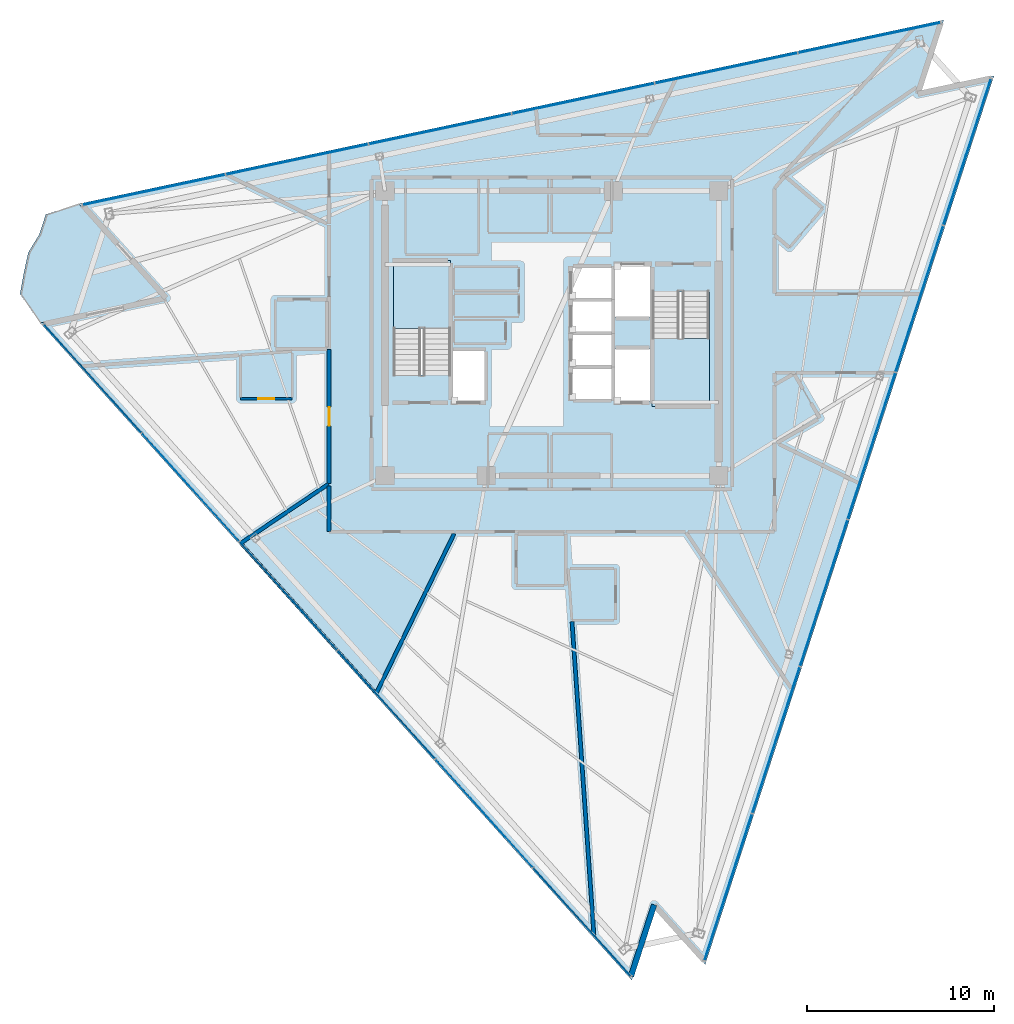
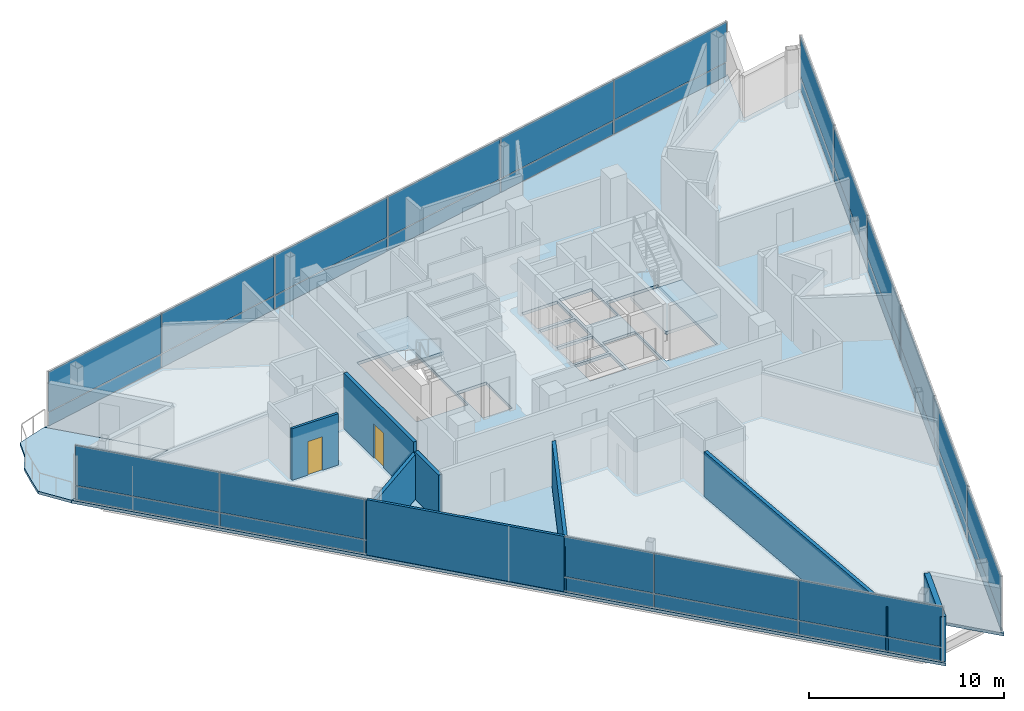
# One storey, part 9 of 18: 36 plates, 8 walls, 4 slabs, 2 doors, 2 openings, 5 elements without a shape of their own.
"""IFC4 building model written with IfcOpenShell, lengths in metres."""

from ifc_helpers import new_model, si_unit, direction, frame, frame_2d, origin, origin_2d, place, context, subcontext, project, spatial, polyline, rectangle, outline, extrude, material, layer, layer_set, type_object, element, fill, aggregate, save


model = new_model("IFC4")

# Units and contexts
model_context = context("Model", 3, precision=1e-05, world=origin(), true_north=direction((0.0, 1.0)))
body_context = subcontext(model_context, "Body", "Model", "MODEL_VIEW")
ifc_project = project(units=[si_unit("LENGTHUNIT", "METRE"), si_unit("AREAUNIT", "SQUARE_METRE"), si_unit("VOLUMEUNIT", "CUBIC_METRE"), si_unit("PLANEANGLEUNIT", "RADIAN"), si_unit("MASSUNIT", "GRAM", prefix="KILO")], contexts=[model_context])

# Site, building, storey
site_placement = place(None, origin())
site = spatial("IfcSite", under=ifc_project, at=site_placement, CompositionType="ELEMENT")
building_placement = place(site_placement, origin())
building = spatial("IfcBuilding", under=site, at=building_placement, Name="Tharavind Bronze Gate", CompositionType="ELEMENT")
storey_placement = place(building_placement, frame((0.0, 0.0, 287.050048828125)))
storey = spatial("IfcBuildingStorey", under=building, at=storey_placement, Name="L74", CompositionType="ELEMENT", Elevation=287.050048828125)

# Curtain wall, plates
ifc_material_1 = material(Name="Anodised Bronze Aluminium", Category="aluminium")
ifc_layer_1 = layer(ifc_material_1, 0.219970703125)
ifc_layer_set_1 = layer_set([ifc_layer_1], Name="Anodised Bronze Aluminium")
curtain_wall_type = type_object("IfcCurtainWallType", Name="UNITISED CURTAIN WALL CROWN", PredefinedType="USERDEFINED", material=ifc_layer_set_1)
curtain_wall_1_placement = place(storey_placement, origin())
curtain_wall_1 = element("IfcCurtainWall", 1, at=curtain_wall_1_placement, inside=storey, type_object=curtain_wall_type, Name="L74 unitised curtain wall crown CW-L74-S1", ObjectType="UNITISED CURTAIN WALL", PredefinedType="USERDEFINED")
ifc_material_2 = material(Name="Patinated Bronze Alloy Sheet", Category="bronze")
ifc_layer_2 = layer(ifc_material_2, 0.01611328125)
ifc_layer_set_2 = layer_set([ifc_layer_2], Name="Patinated Bronze Alloy Sheet")
plate_type_1 = type_object("IfcPlateType", Name="BRONZE SPANDREL CLADDING PANEL 16", PredefinedType="CURTAIN_PANEL", material=ifc_layer_set_2)
plate_1_placement = place(storey_placement, frame((-24.494873046875, -2.404052734375, 0.0263671875), z_axis=(0.0, 0.0, 1.0), x_axis=(0.669130606359, -0.743144825477, 0.0)))
plate_1 = element("IfcPlate", 2, at=plate_1_placement, type_object=plate_type_1, Name="CW-L74-S1 bronze spandrel panel 1", PredefinedType="CURTAIN_PANEL", context=body_context, shape_type="SweptSolid", body=[
    extrude(rectangle(XDim=7.749755859375, YDim=0.01611328125, at=origin_2d()), origin(), (0.0, 0.0, 1.0), 0.846923828125),
])
plate_2_placement = place(storey_placement, frame((-19.273681640625, -8.20263671875, 0.0263671875), z_axis=(0.0, 0.0, 1.0), x_axis=(0.669130606359, -0.743144825477, 0.0)))
plate_2 = element("IfcPlate", 3, at=plate_2_placement, type_object=plate_type_1, Name="CW-L74-S1 bronze spandrel panel 2", PredefinedType="CURTAIN_PANEL", context=body_context, shape_type="SweptSolid", body=[
    extrude(rectangle(XDim=7.749755859375, YDim=0.01611328125, at=origin_2d()), origin(), (0.0, 0.0, 1.0), 0.846923828125),
])
plate_3_placement = place(storey_placement, frame((-14.052734375, -14.001220703125, 0.0263671875), z_axis=(0.0, 0.0, 1.0), x_axis=(0.669130606359, -0.743144825477, 0.0)))
plate_3 = element("IfcPlate", 4, at=plate_3_placement, type_object=plate_type_1, Name="CW-L74-S1 bronze spandrel panel 3", PredefinedType="CURTAIN_PANEL", context=body_context, shape_type="SweptSolid", body=[
    extrude(rectangle(XDim=7.749755859375, YDim=0.01611328125, at=origin_2d()), origin(), (0.0, 0.0, 1.0), 0.846923828125),
])
plate_4_placement = place(storey_placement, frame((-8.831787109375, -19.7998046875, 0.0263671875), z_axis=(0.0, 0.0, 1.0), x_axis=(0.669130606359, -0.743144825477, 0.0)))
plate_4 = element("IfcPlate", 5, at=plate_4_placement, type_object=plate_type_1, Name="CW-L74-S1 bronze spandrel panel 4", PredefinedType="CURTAIN_PANEL", context=body_context, shape_type="SweptSolid", body=[
    extrude(rectangle(XDim=7.749755859375, YDim=0.01611328125, at=origin_2d()), origin(), (0.0, 0.0, 1.0), 0.846923828125),
])
plate_5_placement = place(storey_placement, frame((-3.610595703125, -25.59814453125, 0.0263671875), z_axis=(0.0, 0.0, 1.0), x_axis=(0.669130606359, -0.743144825477, 0.0)))
plate_5 = element("IfcPlate", 6, at=plate_5_placement, type_object=plate_type_1, Name="CW-L74-S1 bronze spandrel panel 5", PredefinedType="CURTAIN_PANEL", context=body_context, shape_type="SweptSolid", body=[
    extrude(rectangle(XDim=7.749755859375, YDim=0.01611328125, at=origin_2d()), origin(), (0.0, 0.0, 1.0), 0.846923828125),
])
plate_6_placement = place(storey_placement, frame((1.6103515625, -31.396728515625, 0.0263671875), z_axis=(0.0, 0.0, 1.0), x_axis=(0.669130606359, -0.743144825477, 0.0)))
plate_6 = element("IfcPlate", 7, at=plate_6_placement, type_object=plate_type_1, Name="CW-L74-S1 bronze spandrel panel 6", PredefinedType="CURTAIN_PANEL", context=body_context, shape_type="SweptSolid", body=[
    extrude(rectangle(XDim=7.749755859375, YDim=0.01611328125, at=origin_2d()), origin(), (0.0, 0.0, 1.0), 0.846923828125),
])

curtain_wall_2_placement = place(storey_placement, origin())
curtain_wall_2 = element("IfcCurtainWall", 8, at=curtain_wall_2_placement, inside=storey, type_object=curtain_wall_type, Name="L74 unitised curtain wall crown CW-L74-S2", ObjectType="UNITISED CURTAIN WALL", PredefinedType="USERDEFINED")
plate_7_placement = place(storey_placement, frame((9.41552734375, -29.54052734375, 0.0263671875), z_axis=(0.0, 0.0, 1.0), x_axis=(0.309016994375, 0.951056516295, 0.0)))
plate_7 = element("IfcPlate", 9, at=plate_7_placement, type_object=plate_type_1, Name="CW-L74-S2 bronze spandrel panel 1", PredefinedType="CURTAIN_PANEL", context=body_context, shape_type="SweptSolid", body=[
    extrude(rectangle(XDim=8.195068359375, YDim=0.01611328125, at=origin_2d()), origin(), (0.0, 0.0, 1.0), 0.846923828125),
])
plate_8_placement = place(storey_placement, frame((11.96435546875, -21.6962890625, 0.0263671875), z_axis=(0.0, 0.0, 1.0), x_axis=(0.309016994375, 0.951056516295, 0.0)))
plate_8 = element("IfcPlate", 10, at=plate_8_placement, type_object=plate_type_1, Name="CW-L74-S2 bronze spandrel panel 2", PredefinedType="CURTAIN_PANEL", context=body_context, shape_type="SweptSolid", body=[
    extrude(rectangle(XDim=8.195068359375, YDim=0.01611328125, at=origin_2d()), origin(), (0.0, 0.0, 1.0), 0.846923828125),
])
plate_9_placement = place(storey_placement, frame((14.51318359375, -13.851806640625, 0.0263671875), z_axis=(0.0, 0.0, 1.0), x_axis=(0.309016994375, 0.951056516295, 0.0)))
plate_9 = element("IfcPlate", 11, at=plate_9_placement, type_object=plate_type_1, Name="CW-L74-S2 bronze spandrel panel 3", PredefinedType="CURTAIN_PANEL", context=body_context, shape_type="SweptSolid", body=[
    extrude(rectangle(XDim=8.195068359375, YDim=0.01611328125, at=origin_2d()), origin(), (0.0, 0.0, 1.0), 0.846923828125),
])
plate_10_placement = place(storey_placement, frame((17.06201171875, -6.007568359375, 0.0263671875), z_axis=(0.0, 0.0, 1.0), x_axis=(0.309016994375, 0.951056516295, 0.0)))
plate_10 = element("IfcPlate", 12, at=plate_10_placement, type_object=plate_type_1, Name="CW-L74-S2 bronze spandrel panel 4", PredefinedType="CURTAIN_PANEL", context=body_context, shape_type="SweptSolid", body=[
    extrude(rectangle(XDim=8.195068359375, YDim=0.01611328125, at=origin_2d()), origin(), (0.0, 0.0, 1.0), 0.846923828125),
])
plate_11_placement = place(storey_placement, frame((19.610595703125, 1.8369140625, 0.0263671875), z_axis=(0.0, 0.0, 1.0), x_axis=(0.309016994375, 0.951056516295, 0.0)))
plate_11 = element("IfcPlate", 13, at=plate_11_placement, type_object=plate_type_1, Name="CW-L74-S2 bronze spandrel panel 5", PredefinedType="CURTAIN_PANEL", context=body_context, shape_type="SweptSolid", body=[
    extrude(rectangle(XDim=8.195068359375, YDim=0.01611328125, at=origin_2d()), origin(), (0.0, 0.0, 1.0), 0.846923828125),
])
plate_12_placement = place(storey_placement, frame((22.159423828125, 9.68115234375, 0.0263671875), z_axis=(0.0, 0.0, 1.0), x_axis=(0.309016994375, 0.951056516295, 0.0)))
plate_12 = element("IfcPlate", 14, at=plate_12_placement, type_object=plate_type_1, Name="CW-L74-S2 bronze spandrel panel 6", PredefinedType="CURTAIN_PANEL", context=body_context, shape_type="SweptSolid", body=[
    extrude(rectangle(XDim=8.195068359375, YDim=0.01611328125, at=origin_2d()), origin(), (0.0, 0.0, 1.0), 0.846923828125),
])

curtain_wall_3_placement = place(storey_placement, origin())
curtain_wall_3 = element("IfcCurtainWall", 15, at=curtain_wall_3_placement, inside=storey, type_object=curtain_wall_type, Name="L74 unitised curtain wall crown CW-L74-S3", ObjectType="UNITISED CURTAIN WALL", PredefinedType="USERDEFINED")
plate_13_placement = place(storey_placement, frame((16.935791015625, 15.770751953125, 0.0263671875), z_axis=(0.0, 0.0, 1.0), x_axis=(-0.978147237858, -0.207913398007, 0.0)))
plate_13 = element("IfcPlate", 16, at=plate_13_placement, type_object=plate_type_1, Name="CW-L74-S3 bronze spandrel panel 1", PredefinedType="CURTAIN_PANEL", context=body_context, shape_type="SweptSolid", body=[
    extrude(rectangle(XDim=7.749755859375, YDim=0.01611328125, at=origin_2d()), origin(), (0.0, 0.0, 1.0), 0.846923828125),
])
plate_14_placement = place(storey_placement, frame((9.3037109375, 14.1484375, 0.0263671875), z_axis=(0.0, 0.0, 1.0), x_axis=(-0.978147237858, -0.207913398007, 0.0)))
plate_14 = element("IfcPlate", 17, at=plate_14_placement, type_object=plate_type_1, Name="CW-L74-S3 bronze spandrel panel 2", PredefinedType="CURTAIN_PANEL", context=body_context, shape_type="SweptSolid", body=[
    extrude(rectangle(XDim=7.749755859375, YDim=0.01611328125, at=origin_2d()), origin(), (0.0, 0.0, 1.0), 0.846923828125),
])
plate_15_placement = place(storey_placement, frame((1.67138671875, 12.526123046875, 0.0263671875), z_axis=(0.0, 0.0, 1.0), x_axis=(-0.978147237858, -0.207913398007, 0.0)))
plate_15 = element("IfcPlate", 18, at=plate_15_placement, type_object=plate_type_1, Name="CW-L74-S3 bronze spandrel panel 3", PredefinedType="CURTAIN_PANEL", context=body_context, shape_type="SweptSolid", body=[
    extrude(rectangle(XDim=7.749755859375, YDim=0.01611328125, at=origin_2d()), origin(), (0.0, 0.0, 1.0), 0.846923828125),
])
plate_16_placement = place(storey_placement, frame((-5.960693359375, 10.90380859375, 0.0263671875), z_axis=(0.0, 0.0, 1.0), x_axis=(-0.978147237858, -0.207913398007, 0.0)))
plate_16 = element("IfcPlate", 19, at=plate_16_placement, type_object=plate_type_1, Name="CW-L74-S3 bronze spandrel panel 4", PredefinedType="CURTAIN_PANEL", context=body_context, shape_type="SweptSolid", body=[
    extrude(rectangle(XDim=7.749755859375, YDim=0.01611328125, at=origin_2d()), origin(), (0.0, 0.0, 1.0), 0.846923828125),
])
plate_17_placement = place(storey_placement, frame((-13.5927734375, 9.281494140625, 0.0263671875), z_axis=(0.0, 0.0, 1.0), x_axis=(-0.978147237858, -0.207913398007, 0.0)))
plate_17 = element("IfcPlate", 20, at=plate_17_placement, type_object=plate_type_1, Name="CW-L74-S3 bronze spandrel panel 5", PredefinedType="CURTAIN_PANEL", context=body_context, shape_type="SweptSolid", body=[
    extrude(rectangle(XDim=7.749755859375, YDim=0.01611328125, at=origin_2d()), origin(), (0.0, 0.0, 1.0), 0.846923828125),
])
plate_18_placement = place(storey_placement, frame((-21.22509765625, 7.6591796875, 0.0263671875), z_axis=(0.0, 0.0, 1.0), x_axis=(-0.978147237858, -0.207913398007, 0.0)))
plate_18 = element("IfcPlate", 21, at=plate_18_placement, type_object=plate_type_1, Name="CW-L74-S3 bronze spandrel panel 6", PredefinedType="CURTAIN_PANEL", context=body_context, shape_type="SweptSolid", body=[
    extrude(rectangle(XDim=7.749755859375, YDim=0.01611328125, at=origin_2d()), origin(), (0.0, 0.0, 1.0), 0.846923828125),
])

# Slab
ifc_material_3 = material(Name="Concrete C40/50", Category="concrete")
ifc_layer_3 = layer(ifc_material_3, 0.175048828125)
ifc_layer_set_3 = layer_set([ifc_layer_3], Name="Concrete C40/50")
slab_type_1 = type_object("IfcSlabType", Name="EXTERIOR BALCONY SLAB 175", PredefinedType="FLOOR", material=ifc_layer_set_3)
slab_1_placement = place(storey_placement, frame((0.0, 0.0, -0.175048828125)))
element("IfcSlab", 22, at=slab_1_placement, inside=storey, type_object=slab_type_1, Name="L74 northeast tree balcony slab", PredefinedType="FLOOR", context=body_context, shape_type="SweptSolid", body=[
    extrude(outline(polyline([(-26.992431640625, 6.34375), (-27.33642578125, 5.284912109375), (-27.927978515625, 4.306396484375), (-28.1650390625, 3.212890625), (-28.36865234375, 2.1083984375), (-27.29541015625, 0.556884765625), (-20.761474609375, 1.94580078125), (-25.231201171875, 6.909912109375), (-26.992431640625, 6.34375)])), origin(), (0.0, 0.0, 1.0), 0.175048828125),
])

# Stair, slab
stair_type = type_object("IfcStairType", Name="CORE HALF TURN STAIR 1450", PredefinedType="HALF_TURN_STAIR", material=ifc_material_3)
stair_1_placement = place(storey_placement, origin())
stair_1 = element("IfcStair", 23, at=stair_1_placement, inside=storey, type_object=stair_type, Name="L74 Protected Exit Stair ST1", PredefinedType="HALF_TURN_STAIR")
ifc_layer_4 = layer(ifc_material_3, 0.199951171875)
ifc_layer_set_4 = layer_set([ifc_layer_4], Name="Concrete C40/50")
slab_type_2 = type_object("IfcSlabType", Name="STAIR LANDING SLAB 200", PredefinedType="LANDING", material=ifc_layer_set_4)
slab_2_placement = place(storey_placement, frame((0.0, 0.0, 1.625)))
slab_2 = element("IfcSlab", 24, at=slab_2_placement, type_object=slab_type_2, Name="ST1 landing 1", PredefinedType="LANDING", context=body_context, shape_type="SweptSolid", body=[
    extrude(outline(polyline([(-5.39990234375, 0.27001953125), (-5.39990234375, 3.89990234375), (-8.449951171875, 3.89990234375), (-8.449951171875, 0.27001953125), (-5.39990234375, 0.27001953125)])), origin(), (0.0, 0.0, 1.0), 0.199951171875),
])
aggregate(stair_1, [slab_2])

stair_2_placement = place(storey_placement, origin())
stair_2 = element("IfcStair", 25, at=stair_2_placement, inside=storey, type_object=stair_type, Name="L74 Protected Exit Stair ST2", PredefinedType="HALF_TURN_STAIR")
slab_3_placement = place(storey_placement, frame((0.0, 0.0, 1.625)))
slab_3 = element("IfcSlab", 26, at=slab_3_placement, type_object=slab_type_2, Name="ST2 landing 1", PredefinedType="LANDING", context=body_context, shape_type="SweptSolid", body=[
    extrude(outline(polyline([(5.35009765625, -0.27001953125), (5.35009765625, -3.89990234375), (8.39990234375, -3.89990234375), (8.39990234375, -0.27001953125), (5.35009765625, -0.27001953125)])), origin(), (0.0, 0.0, 1.0), 0.199951171875),
])
aggregate(stair_2, [slab_3])

# Slab
ifc_layer_5 = layer(ifc_material_3, 0.18505859375)
ifc_layer_set_5 = layer_set([ifc_layer_5], Name="Concrete C40/50")
slab_type_3 = type_object("IfcSlabType", Name="STRUCTURAL FLOOR SLAB 185", PredefinedType="FLOOR", material=ifc_layer_set_5)
slab_4_placement = place(storey_placement, frame((0.0, 0.0, -0.18505859375)))
element("IfcSlab", 27, at=slab_4_placement, inside=storey, type_object=slab_type_3, Name="L74 main structural floor slab", PredefinedType="FLOOR", context=body_context, shape_type="SweptSolid", body=[
    extrude(outline(polyline([(-25.231201171875, 6.909912109375), (-20.761474609375, 1.94580078125), (-27.29541015625, 0.556884765625), (4.262451171875, -34.49169921875), (5.5009765625, -30.6796875), (8.182861328125, -33.658203125), (23.58251953125, 13.737060546875), (19.662109375, 12.90380859375), (20.900634765625, 16.7158203125), (-25.231201171875, 6.909912109375)]), holes=[polyline([(-5.39990234375, -2.215087890625), (-5.39990234375, 3.89990234375), (-8.449951171875, 3.89990234375), (-8.449951171875, -2.215087890625), (-5.39990234375, -2.215087890625)]), polyline([(5.35009765625, 2.215087890625), (5.35009765625, -3.89990234375), (8.39990234375, -3.89990234375), (8.39990234375, 2.215087890625), (5.35009765625, 2.215087890625)]), polyline([(1.080078125, -3.52001953125), (3.199951171875, -3.52001953125), (3.199951171875, -1.8798828125), (1.080078125, -1.8798828125), (1.080078125, -3.52001953125)]), polyline([(1.080078125, -1.719970703125), (3.199951171875, -1.719970703125), (3.199951171875, -0.080078125), (1.080078125, -0.080078125), (1.080078125, -1.719970703125)]), polyline([(1.080078125, 0.080078125), (3.199951171875, 0.080078125), (3.199951171875, 1.719970703125), (1.080078125, 1.719970703125), (1.080078125, 0.080078125)]), polyline([(1.080078125, 1.8798828125), (3.199951171875, 1.8798828125), (3.199951171875, 3.52001953125), (1.080078125, 3.52001953125), (1.080078125, 1.8798828125)]), polyline([(-5.320068359375, -3.6201171875), (-3.580078125, -3.6201171875), (-3.580078125, -0.929931640625), (-5.320068359375, -0.929931640625), (-5.320068359375, -3.6201171875)]), polyline([(3.360107421875, 0.8798828125), (5.27001953125, 0.8798828125), (5.27001953125, 3.6201171875), (3.360107421875, 3.6201171875), (3.360107421875, 0.8798828125)]), polyline([(3.360107421875, -3.6201171875), (5.27001953125, -3.6201171875), (5.27001953125, -0.830078125), (3.360107421875, -0.830078125), (3.360107421875, -3.6201171875)])]), origin(), (0.0, 0.0, 1.0), 0.18505859375),
])

# Plate
ifc_material_4 = material(Name="Triple Solar Control Glazing", Category="glass")
ifc_layer_6 = layer(ifc_material_4, 0.0439453125)
ifc_layer_set_6 = layer_set([ifc_layer_6], Name="Triple Solar Control Glazing")
plate_type_2 = type_object("IfcPlateType", Name="TRIPLE GLAZED FACADE PANEL 44", PredefinedType="CURTAIN_PANEL", material=ifc_layer_set_6)
plate_19_placement = place(storey_placement, frame((-24.494873046875, -2.404052734375, 0.92626953125), z_axis=(0.0, 0.0, 1.0), x_axis=(0.669130606359, -0.743144825477, 0.0)))
plate_19 = element("IfcPlate", 28, at=plate_19_placement, type_object=plate_type_2, Name="CW-L74-S1 vision glazing panel 1", PredefinedType="CURTAIN_PANEL", context=body_context, shape_type="SweptSolid", body=[
    extrude(rectangle(XDim=7.749755859375, YDim=0.0439453125, at=origin_2d()), origin(), (0.0, 0.0, 1.0), 2.511962890625),
])

plate_20_placement = place(storey_placement, frame((-19.273681640625, -8.20263671875, 0.92626953125), z_axis=(0.0, 0.0, 1.0), x_axis=(0.669130606359, -0.743144825477, 0.0)))
plate_20 = element("IfcPlate", 29, at=plate_20_placement, type_object=plate_type_2, Name="CW-L74-S1 vision glazing panel 2", PredefinedType="CURTAIN_PANEL", context=body_context, shape_type="SweptSolid", body=[
    extrude(rectangle(XDim=7.749755859375, YDim=0.0439453125, at=origin_2d()), origin(), (0.0, 0.0, 1.0), 2.511962890625),
])

plate_21_placement = place(storey_placement, frame((-14.052734375, -14.001220703125, 0.92626953125), z_axis=(0.0, 0.0, 1.0), x_axis=(0.669130606359, -0.743144825477, 0.0)))
plate_21 = element("IfcPlate", 30, at=plate_21_placement, type_object=plate_type_2, Name="CW-L74-S1 vision glazing panel 3", PredefinedType="CURTAIN_PANEL", context=body_context, shape_type="SweptSolid", body=[
    extrude(rectangle(XDim=7.749755859375, YDim=0.0439453125, at=origin_2d()), origin(), (0.0, 0.0, 1.0), 2.511962890625),
])

plate_22_placement = place(storey_placement, frame((-8.831787109375, -19.7998046875, 0.92626953125), z_axis=(0.0, 0.0, 1.0), x_axis=(0.669130606359, -0.743144825477, 0.0)))
plate_22 = element("IfcPlate", 31, at=plate_22_placement, type_object=plate_type_2, Name="CW-L74-S1 vision glazing panel 4", PredefinedType="CURTAIN_PANEL", context=body_context, shape_type="SweptSolid", body=[
    extrude(rectangle(XDim=7.749755859375, YDim=0.0439453125, at=origin_2d()), origin(), (0.0, 0.0, 1.0), 2.511962890625),
])

plate_23_placement = place(storey_placement, frame((-3.610595703125, -25.59814453125, 0.92626953125), z_axis=(0.0, 0.0, 1.0), x_axis=(0.669130606359, -0.743144825477, 0.0)))
plate_23 = element("IfcPlate", 32, at=plate_23_placement, type_object=plate_type_2, Name="CW-L74-S1 vision glazing panel 5", PredefinedType="CURTAIN_PANEL", context=body_context, shape_type="SweptSolid", body=[
    extrude(rectangle(XDim=7.749755859375, YDim=0.0439453125, at=origin_2d()), origin(), (0.0, 0.0, 1.0), 2.511962890625),
])

plate_24_placement = place(storey_placement, frame((1.6103515625, -31.396728515625, 0.92626953125), z_axis=(0.0, 0.0, 1.0), x_axis=(0.669130606359, -0.743144825477, 0.0)))
plate_24 = element("IfcPlate", 33, at=plate_24_placement, type_object=plate_type_2, Name="CW-L74-S1 vision glazing panel 6", PredefinedType="CURTAIN_PANEL", context=body_context, shape_type="SweptSolid", body=[
    extrude(rectangle(XDim=7.749755859375, YDim=0.0439453125, at=origin_2d()), origin(), (0.0, 0.0, 1.0), 2.511962890625),
])

aggregate(curtain_wall_1, [plate_1, plate_19, plate_2, plate_20, plate_3, plate_21, plate_4, plate_22, plate_5, plate_23, plate_6, plate_24])

plate_25_placement = place(storey_placement, frame((9.41552734375, -29.54052734375, 0.92626953125), z_axis=(0.0, 0.0, 1.0), x_axis=(0.309016994375, 0.951056516295, 0.0)))
plate_25 = element("IfcPlate", 34, at=plate_25_placement, type_object=plate_type_2, Name="CW-L74-S2 vision glazing panel 1", PredefinedType="CURTAIN_PANEL", context=body_context, shape_type="SweptSolid", body=[
    extrude(rectangle(XDim=8.195068359375, YDim=0.0439453125, at=origin_2d()), origin(), (0.0, 0.0, 1.0), 2.511962890625),
])

plate_26_placement = place(storey_placement, frame((11.96435546875, -21.6962890625, 0.92626953125), z_axis=(0.0, 0.0, 1.0), x_axis=(0.309016994375, 0.951056516295, 0.0)))
plate_26 = element("IfcPlate", 35, at=plate_26_placement, type_object=plate_type_2, Name="CW-L74-S2 vision glazing panel 2", PredefinedType="CURTAIN_PANEL", context=body_context, shape_type="SweptSolid", body=[
    extrude(rectangle(XDim=8.195068359375, YDim=0.0439453125, at=origin_2d()), origin(), (0.0, 0.0, 1.0), 2.511962890625),
])

plate_27_placement = place(storey_placement, frame((14.51318359375, -13.851806640625, 0.92626953125), z_axis=(0.0, 0.0, 1.0), x_axis=(0.309016994375, 0.951056516295, 0.0)))
plate_27 = element("IfcPlate", 36, at=plate_27_placement, type_object=plate_type_2, Name="CW-L74-S2 vision glazing panel 3", PredefinedType="CURTAIN_PANEL", context=body_context, shape_type="SweptSolid", body=[
    extrude(rectangle(XDim=8.195068359375, YDim=0.0439453125, at=origin_2d()), origin(), (0.0, 0.0, 1.0), 2.511962890625),
])

plate_28_placement = place(storey_placement, frame((17.06201171875, -6.007568359375, 0.92626953125), z_axis=(0.0, 0.0, 1.0), x_axis=(0.309016994375, 0.951056516295, 0.0)))
plate_28 = element("IfcPlate", 37, at=plate_28_placement, type_object=plate_type_2, Name="CW-L74-S2 vision glazing panel 4", PredefinedType="CURTAIN_PANEL", context=body_context, shape_type="SweptSolid", body=[
    extrude(rectangle(XDim=8.195068359375, YDim=0.0439453125, at=origin_2d()), origin(), (0.0, 0.0, 1.0), 2.511962890625),
])

plate_29_placement = place(storey_placement, frame((19.610595703125, 1.8369140625, 0.92626953125), z_axis=(0.0, 0.0, 1.0), x_axis=(0.309016994375, 0.951056516295, 0.0)))
plate_29 = element("IfcPlate", 38, at=plate_29_placement, type_object=plate_type_2, Name="CW-L74-S2 vision glazing panel 5", PredefinedType="CURTAIN_PANEL", context=body_context, shape_type="SweptSolid", body=[
    extrude(rectangle(XDim=8.195068359375, YDim=0.0439453125, at=origin_2d()), origin(), (0.0, 0.0, 1.0), 2.511962890625),
])

plate_30_placement = place(storey_placement, frame((22.159423828125, 9.68115234375, 0.92626953125), z_axis=(0.0, 0.0, 1.0), x_axis=(0.309016994375, 0.951056516295, 0.0)))
plate_30 = element("IfcPlate", 39, at=plate_30_placement, type_object=plate_type_2, Name="CW-L74-S2 vision glazing panel 6", PredefinedType="CURTAIN_PANEL", context=body_context, shape_type="SweptSolid", body=[
    extrude(rectangle(XDim=8.195068359375, YDim=0.0439453125, at=origin_2d()), origin(), (0.0, 0.0, 1.0), 2.511962890625),
])

aggregate(curtain_wall_2, [plate_7, plate_25, plate_8, plate_26, plate_9, plate_27, plate_10, plate_28, plate_11, plate_29, plate_12, plate_30])

plate_31_placement = place(storey_placement, frame((16.935791015625, 15.770751953125, 0.92626953125), z_axis=(0.0, 0.0, 1.0), x_axis=(-0.978147237858, -0.207913398007, 0.0)))
plate_31 = element("IfcPlate", 40, at=plate_31_placement, type_object=plate_type_2, Name="CW-L74-S3 vision glazing panel 1", PredefinedType="CURTAIN_PANEL", context=body_context, shape_type="SweptSolid", body=[
    extrude(rectangle(XDim=7.749755859375, YDim=0.0439453125, at=origin_2d()), origin(), (0.0, 0.0, 1.0), 2.511962890625),
])

plate_32_placement = place(storey_placement, frame((9.3037109375, 14.1484375, 0.92626953125), z_axis=(0.0, 0.0, 1.0), x_axis=(-0.978147237858, -0.207913398007, 0.0)))
plate_32 = element("IfcPlate", 41, at=plate_32_placement, type_object=plate_type_2, Name="CW-L74-S3 vision glazing panel 2", PredefinedType="CURTAIN_PANEL", context=body_context, shape_type="SweptSolid", body=[
    extrude(rectangle(XDim=7.749755859375, YDim=0.0439453125, at=origin_2d()), origin(), (0.0, 0.0, 1.0), 2.511962890625),
])

plate_33_placement = place(storey_placement, frame((1.67138671875, 12.526123046875, 0.92626953125), z_axis=(0.0, 0.0, 1.0), x_axis=(-0.978147237858, -0.207913398007, 0.0)))
plate_33 = element("IfcPlate", 42, at=plate_33_placement, type_object=plate_type_2, Name="CW-L74-S3 vision glazing panel 3", PredefinedType="CURTAIN_PANEL", context=body_context, shape_type="SweptSolid", body=[
    extrude(rectangle(XDim=7.749755859375, YDim=0.0439453125, at=origin_2d()), origin(), (0.0, 0.0, 1.0), 2.511962890625),
])

plate_34_placement = place(storey_placement, frame((-5.960693359375, 10.90380859375, 0.92626953125), z_axis=(0.0, 0.0, 1.0), x_axis=(-0.978147237858, -0.207913398007, 0.0)))
plate_34 = element("IfcPlate", 43, at=plate_34_placement, type_object=plate_type_2, Name="CW-L74-S3 vision glazing panel 4", PredefinedType="CURTAIN_PANEL", context=body_context, shape_type="SweptSolid", body=[
    extrude(rectangle(XDim=7.749755859375, YDim=0.0439453125, at=origin_2d()), origin(), (0.0, 0.0, 1.0), 2.511962890625),
])

plate_35_placement = place(storey_placement, frame((-13.5927734375, 9.281494140625, 0.92626953125), z_axis=(0.0, 0.0, 1.0), x_axis=(-0.978147237858, -0.207913398007, 0.0)))
plate_35 = element("IfcPlate", 44, at=plate_35_placement, type_object=plate_type_2, Name="CW-L74-S3 vision glazing panel 5", PredefinedType="CURTAIN_PANEL", context=body_context, shape_type="SweptSolid", body=[
    extrude(rectangle(XDim=7.749755859375, YDim=0.0439453125, at=origin_2d()), origin(), (0.0, 0.0, 1.0), 2.511962890625),
])

plate_36_placement = place(storey_placement, frame((-21.22509765625, 7.6591796875, 0.92626953125), z_axis=(0.0, 0.0, 1.0), x_axis=(-0.978147237858, -0.207913398007, 0.0)))
plate_36 = element("IfcPlate", 45, at=plate_36_placement, type_object=plate_type_2, Name="CW-L74-S3 vision glazing panel 6", PredefinedType="CURTAIN_PANEL", context=body_context, shape_type="SweptSolid", body=[
    extrude(rectangle(XDim=7.749755859375, YDim=0.0439453125, at=origin_2d()), origin(), (0.0, 0.0, 1.0), 2.511962890625),
])

aggregate(curtain_wall_3, [plate_13, plate_31, plate_14, plate_32, plate_15, plate_33, plate_16, plate_34, plate_17, plate_35, plate_18, plate_36])

# Walls
ifc_layer_7 = layer(ifc_material_3, 0.300048828125)
ifc_layer_set_7 = layer_set([ifc_layer_7], Name="Concrete C40/50")
wall_type_1 = type_object("IfcWallType", Name="EXTERIOR SPANDREL WALL 300", PredefinedType="STANDARD", material=ifc_layer_set_7)
wall_1_placement = place(storey_placement, frame((4.220703125, -34.2958984375, 0.0), z_axis=(0.0, 0.0, 1.0), x_axis=(0.309018580232, 0.951056001018, 0.0)))
element("IfcWall", 46, at=wall_1_placement, inside=storey, type_object=wall_type_1, Name="L74 notch cheek wall 2A", PredefinedType="STANDARD", context=body_context, shape_type="SweptSolid", body=[
    extrude(rectangle(XDim=4.0078125, YDim=0.300048828125, at=frame_2d((2.00390625, 0.0))), origin(), (0.0, 0.0, 1.0), 2.81005859375),
])
ifc_material_5 = material(Name="Aerated Concrete Block", Category="concrete")
ifc_layer_8 = layer(ifc_material_5, 0.199951171875)
ifc_layer_set_8 = layer_set([ifc_layer_8], Name="Aerated Concrete Block")
wall_type_2 = type_object("IfcWallType", Name="FIRE RATED PARTITION 200", PredefinedType="PARTITIONING", material=ifc_layer_set_8)
wall_2_placement = place(storey_placement, frame((-16.562255859375, -11.17138671875, 0.0), z_axis=(0.0, 0.0, 1.0), x_axis=(0.829047221476, 0.559178598091, 0.0)))
element("IfcWall", 47, at=wall_2_placement, inside=storey, type_object=wall_type_2, Name="L74 Public Restrooms Block partition", PredefinedType="PARTITIONING", context=body_context, shape_type="SweptSolid", body=[
    extrude(rectangle(XDim=5.600830078125, YDim=0.199951171875, at=frame_2d((2.80029296875, 0.0))), origin(), (0.0, 0.0, 1.0), 2.81005859375),
])
wall_3_placement = place(storey_placement, frame((-11.8798828125, -8.139892578125, 0.0), z_axis=(0.0, 0.0, 1.0), x_axis=(0.0, -1.0, 0.0)))
element("IfcWall", 48, at=wall_3_placement, inside=storey, type_object=wall_type_2, Name="L74 Public Restrooms Block partition", PredefinedType="PARTITIONING", context=body_context, shape_type="SweptSolid", body=[
    extrude(rectangle(XDim=2.439453125, YDim=0.199951171875, at=frame_2d((1.2197265625, 0.0))), origin(), (0.0, 0.0, 1.0), 2.9599609375),
])
wall_4_placement = place(storey_placement, frame((-5.21142578125, -10.68505859375, 0.0), z_axis=(0.0, 0.0, 1.0), x_axis=(-0.438373396373, -0.8987929491, 0.0)))
element("IfcWall", 49, at=wall_4_placement, inside=storey, type_object=wall_type_2, Name="L74 Public Restrooms Block partition", PredefinedType="PARTITIONING", context=body_context, shape_type="SweptSolid", body=[
    extrude(rectangle(XDim=9.4794921875, YDim=0.199951171875, at=frame_2d((4.73974609375, 0.0))), origin(), (0.0, 0.0, 1.0), 2.81005859375),
])

# Wall, opening, door
wall_5_placement = place(storey_placement, frame((-11.8798828125, -0.857421875, 0.0), z_axis=(0.0, 0.0, 1.0), x_axis=(0.0, -1.0, 0.0)))
wall_5 = element("IfcWall", 50, at=wall_5_placement, inside=storey, type_object=wall_type_2, Name="L74 Deluxe Hotel Suite partition", PredefinedType="PARTITIONING", context=body_context, shape_type="SweptSolid", body=[
    extrude(rectangle(XDim=7.142578125, YDim=0.199951171875, at=frame_2d((3.5712890625, 0.0))), origin(), (0.0, 0.0, 1.0), 3.46484375),
])
opening_1_placement = place(wall_5_placement, frame((3.071044921875, 0.0, 0.0)))
opening_1 = element("IfcOpeningElement", 51, at=opening_1_placement, cuts=wall_5, Name="Opening ID03", PredefinedType="OPENING", context=body_context, shape_type="SweptSolid", body=[
    extrude(rectangle(XDim=1.0, YDim=2.14990234375, at=frame_2d((0.5, 1.074951171875))), frame((0.0, 0.11009765625, 0.0), z_axis=(0.0, -1.0, 0.0), x_axis=(1.0, 0.0, 0.0)), (0.0, 0.0, 1.0), 0.219951171875),
])
ifc_material_6 = material(Name="Solid Timber Veneer", Category="wood")
door_type_1 = type_object("IfcDoorType", Name="HOTEL SUITE ENTRANCE DOOR 1000X2150", OperationType="SINGLE_SWING_LEFT", PredefinedType="DOOR", material=ifc_material_6)
door_1_placement = place(opening_1_placement, origin())
door_1 = element("IfcDoor", 52, at=door_1_placement, inside=storey, type_object=door_type_1, Name="L74 Deluxe Hotel Suite door", OperationType="SINGLE_SWING_LEFT", OverallHeight=2.14990234375, OverallWidth=1.0, PredefinedType="DOOR", context=body_context, shape_type="SweptSolid", body=[
    extrude(rectangle(XDim=1.0, YDim=2.14990234375, at=frame_2d((0.5, 1.074951171875))), frame((0.0, 0.02490234375, 0.0), z_axis=(0.0, -1.0, 0.0), x_axis=(1.0, 0.0, 0.0)), (0.0, 0.0, 1.0), 0.050048828125),
])
fill(opening_1, door_1)

# Wall
wall_6_placement = place(storey_placement, frame((1.075439453125, -15.3798828125, 0.0), z_axis=(0.0, 0.0, 1.0), x_axis=(0.069765789378, -0.997563398804, 0.0)))
element("IfcWall", 53, at=wall_6_placement, inside=storey, type_object=wall_type_2, Name="L74 Deluxe Hotel Suite partition", PredefinedType="PARTITIONING", context=body_context, shape_type="SweptSolid", body=[
    extrude(rectangle(XDim=16.76220703125, YDim=0.199951171875, at=frame_2d((8.381103515625, 0.0))), origin(), (0.0, 0.0, 1.0), 2.81005859375),
])

# Wall, opening, door
ifc_material_7 = material(Name="Twin Stud Acoustic Gypsum", Category="gypsum")
ifc_layer_9 = layer(ifc_material_7, 0.14990234375)
ifc_layer_set_9 = layer_set([ifc_layer_9], Name="Twin Stud Acoustic Gypsum")
wall_type_3 = type_object("IfcWallType", Name="INTERIOR PARTITION WALL 150", PredefinedType="PARTITIONING", material=ifc_layer_set_9)
wall_7_placement = place(storey_placement, frame((-13.85009765625, -3.489013671875, 0.0), z_axis=(0.0, 0.0, 1.0), x_axis=(-1.0, 0.0, 0.0)))
wall_7 = element("IfcWall", 54, at=wall_7_placement, inside=storey, type_object=wall_type_3, Name="L74 En-Suite Bathroom partition", PredefinedType="PARTITIONING", context=body_context, shape_type="SweptSolid", body=[
    extrude(rectangle(XDim=2.75, YDim=0.14990234375, at=frame_2d((1.375, 0.0))), origin(), (0.0, 0.0, 1.0), 3.219970703125),
])
opening_2_placement = place(wall_7_placement, frame((0.949951171875, 0.0, 0.0)))
opening_2 = element("IfcOpeningElement", 55, at=opening_2_placement, cuts=wall_7, Name="Opening ID06", PredefinedType="OPENING", context=body_context, shape_type="SweptSolid", body=[
    extrude(rectangle(XDim=0.85009765625, YDim=2.10009765625, at=frame_2d((0.425048828125, 1.050048828125))), frame((0.0, 0.084951171875, 0.0), z_axis=(0.0, -1.0, 0.0), x_axis=(1.0, 0.0, 0.0)), (0.0, 0.0, 1.0), 0.16990234375),
])
ifc_material_8 = material(Name="Moisture-Resistant Timber", Category="wood")
door_type_2 = type_object("IfcDoorType", Name="BATHROOM PRIVACY DOOR 850X2100", OperationType="SINGLE_SWING_RIGHT", PredefinedType="DOOR", material=ifc_material_8)
door_2_placement = place(opening_2_placement, origin())
door_2 = element("IfcDoor", 56, at=door_2_placement, inside=storey, type_object=door_type_2, Name="L74 En-Suite Bathroom door", OperationType="SINGLE_SWING_RIGHT", OverallHeight=2.10009765625, OverallWidth=0.85009765625, PredefinedType="DOOR", context=body_context, shape_type="SweptSolid", body=[
    extrude(rectangle(XDim=0.85009765625, YDim=2.10009765625, at=frame_2d((0.425048828125, 1.050048828125))), frame((0.0, 0.02490234375, 0.0), z_axis=(0.0, -1.0, 0.0), x_axis=(1.0, 0.0, 0.0)), (0.0, 0.0, 1.0), 0.050048828125),
])
fill(opening_2, door_2)

# Wall
wall_8_placement = place(storey_placement, frame((-9.44287109375, -19.12109375, 0.0), z_axis=(0.0, 0.0, 1.0), x_axis=(-0.669126879752, 0.743148180912, 0.0)))
element("IfcWall", 57, at=wall_8_placement, inside=storey, type_object=wall_type_3, Name="L74 Public Restrooms Block partition", PredefinedType="PARTITIONING", context=body_context, shape_type="SweptSolid", body=[
    extrude(rectangle(XDim=10.646728515625, YDim=0.14990234375, at=frame_2d((5.3232421875, 0.0))), origin(), (0.0, 0.0, 1.0), 3.46484375),
])

save(model, "model.ifc")
